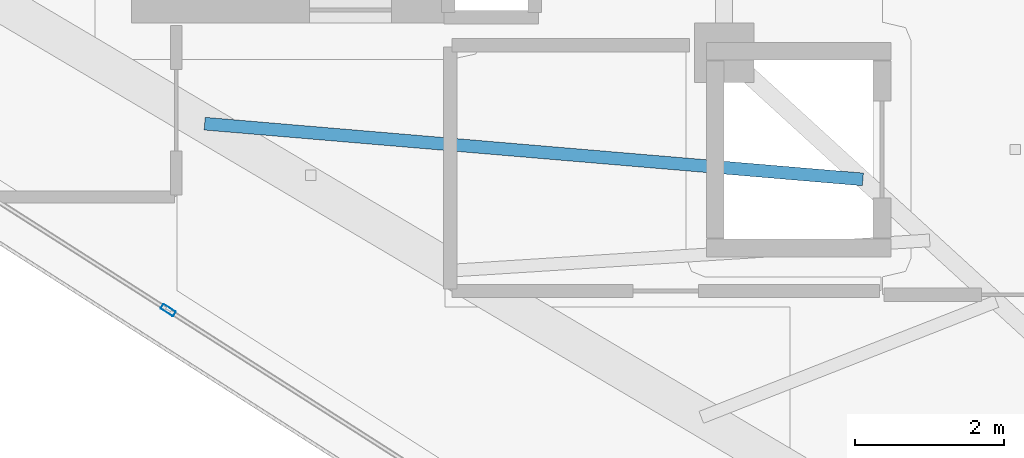
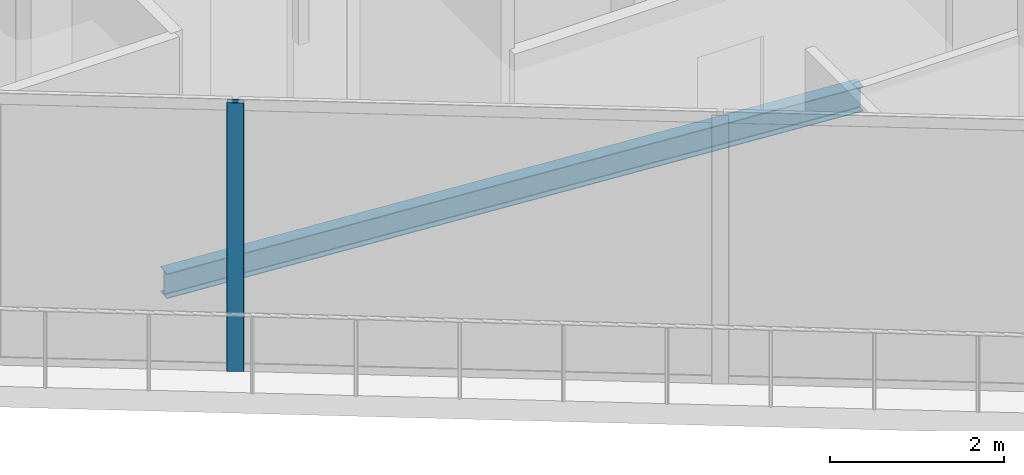
# One storey, part 4 of 26: 1 beam, 1 member, 1 element without a shape of its own.
"""IFC4 building model written with IfcOpenShell, lengths in metres."""

from ifc_helpers import new_model, si_unit, direction, frame, origin, origin_2d, place, context, subcontext, project, spatial, hollow_rectangle, i_section, extrude, material, layer, layer_set, material_profile, profile_set, type_object, element, aggregate, save


model = new_model("IFC4")

# Units and contexts
model_context = context("Model", 3, precision=1e-05, world=origin(), true_north=direction((0.0, 1.0)))
body_context = subcontext(model_context, "Body", "Model", "MODEL_VIEW")
ifc_project = project(units=[si_unit("LENGTHUNIT", "METRE"), si_unit("AREAUNIT", "SQUARE_METRE"), si_unit("VOLUMEUNIT", "CUBIC_METRE"), si_unit("PLANEANGLEUNIT", "RADIAN"), si_unit("MASSUNIT", "GRAM", prefix="KILO")], contexts=[model_context])

# Site, building, storey
site_placement = place(None, origin())
site = spatial("IfcSite", under=ifc_project, at=site_placement, CompositionType="ELEMENT")
building_placement = place(site_placement, origin())
building = spatial("IfcBuilding", under=site, at=building_placement, Name="Qorvath Tower", CompositionType="ELEMENT")
storey_placement = place(building_placement, frame((0.0, 0.0, 322.800048828125)))
storey = spatial("IfcBuildingStorey", under=building, at=storey_placement, Name="L75", CompositionType="ELEMENT", Elevation=322.800048828125)

# Beam
ifc_material_1 = material(Name="Steel ASTM A992 Grade 50", Category="steel")
ifc_material_profile_1 = material_profile(ifc_material_1, i_section(OverallWidth=0.1708984375, OverallDepth=0.35107421875, WebThickness=0.0068359375, FlangeThickness=0.009765625, FilletRadius=0.010009765625, at=origin_2d()), Name="W14x30")
ifc_profile_set_1 = profile_set([ifc_material_profile_1], Name="Steel ASTM A992 Grade 50")
beam_type = type_object("IfcBeamType", Name="BM-FJ4", PredefinedType="JOIST", material=ifc_profile_set_1)
beam_placement = place(storey_placement, frame((-28.636962890625, -6.85107421875, -0.465576171875), z_axis=(-0.996436150147, 0.084350451576, 0.0), x_axis=(-0.084350451576, -0.996436150147, 0.0)))
element("IfcBeam", 1, at=beam_placement, inside=storey, type_object=beam_type, Name="Composite Floor Joist SW2 L75", PredefinedType="JOIST", context=body_context, shape_type="SweptSolid", body=[
    extrude(i_section(OverallWidth=0.1708984375, OverallDepth=0.35107421875, WebThickness=0.0068359375, FlangeThickness=0.009765625, FilletRadius=0.010009765625, at=origin_2d()), origin(), (0.0, 0.0, 1.0), 8.87109375),
])

# Curtain wall, member
ifc_material_2 = material(Name="Anodised aluminium and triple low-E glass", Category="aluminium")
ifc_layer = layer(ifc_material_2, 0.179931640625)
ifc_layer_set = layer_set([ifc_layer], Name="CW-SYS-4")
curtain_wall_type = type_object("IfcCurtainWallType", Name="CW-SYS-4", PredefinedType="NOTDEFINED", material=ifc_layer_set)
curtain_wall_placement = place(storey_placement, origin())
curtain_wall = element("IfcCurtainWall", 2, at=curtain_wall_placement, inside=storey, type_object=curtain_wall_type, Name="Curtain Wall CW-4 CW-T-L75-2.1", PredefinedType="NOTDEFINED")
ifc_material_3 = material(Name="Anodised aluminium 6063-T6", Category="aluminium")
ifc_material_profile_2 = material_profile(ifc_material_3, hollow_rectangle(XDim=0.074951171875, YDim=0.199951171875, WallThickness=0.00390625, InnerFilletRadius=0.00390625, OuterFilletRadius=0.008056640625, at=origin_2d()), Name="CWM 200x75")
ifc_profile_set_2 = profile_set([ifc_material_profile_2], Name="Anodised aluminium 6063-T6")
member_type = type_object("IfcMemberType", Name="CWM-200", PredefinedType="MULLION", material=ifc_profile_set_2)
member_placement = place(storey_placement, frame((-37.967041015625, -8.606689453125, 0.0), z_axis=(0.0, 0.0, 1.0), x_axis=(0.538535622768, 0.842602743296, 0.0)))
member = element("IfcMember", 3, at=member_placement, type_object=member_type, Name="CW-4 mullion 3", PredefinedType="MULLION", context=body_context, shape_type="SweptSolid", body=[
    extrude(hollow_rectangle(XDim=0.074951171875, YDim=0.199951171875, WallThickness=0.00390625, InnerFilletRadius=0.00390625, OuterFilletRadius=0.008056640625, at=origin_2d()), origin(), (0.0, 0.0, 1.0), 3.780029296875),
])
aggregate(curtain_wall, [member])

save(model, "model.ifc")
